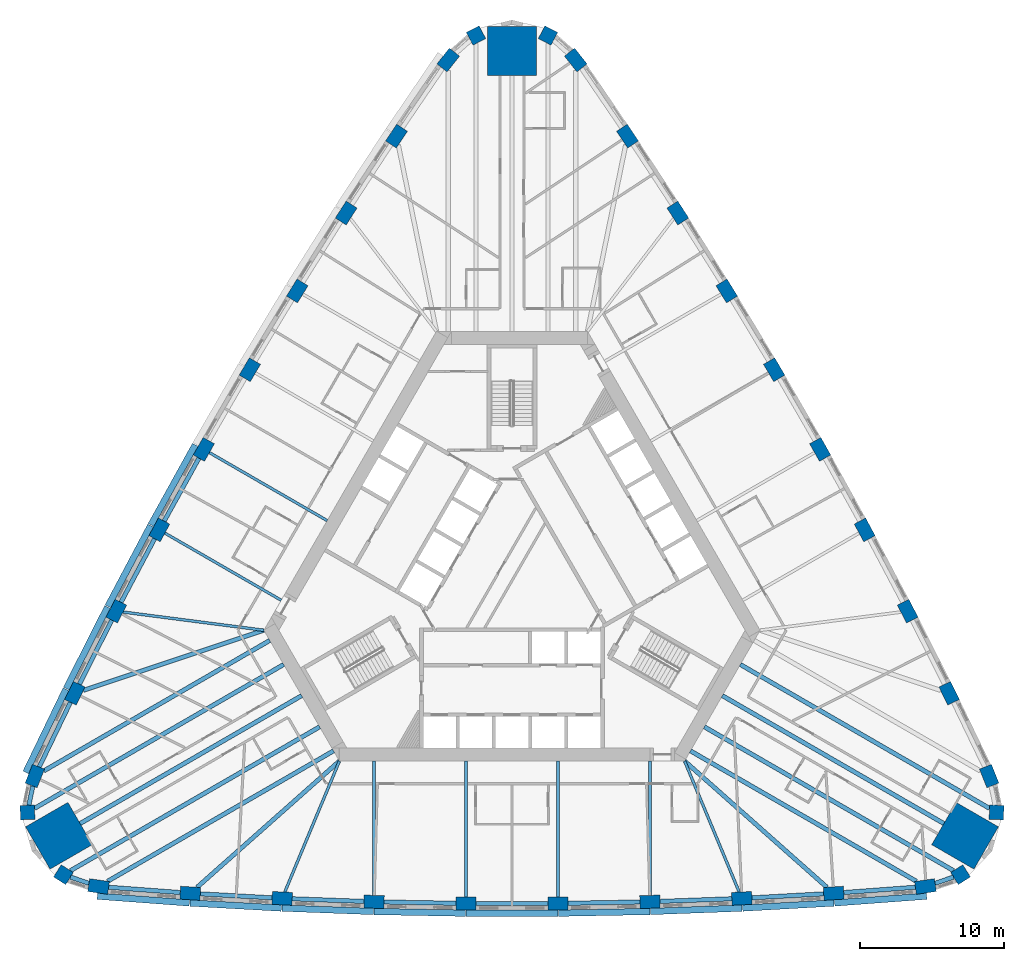
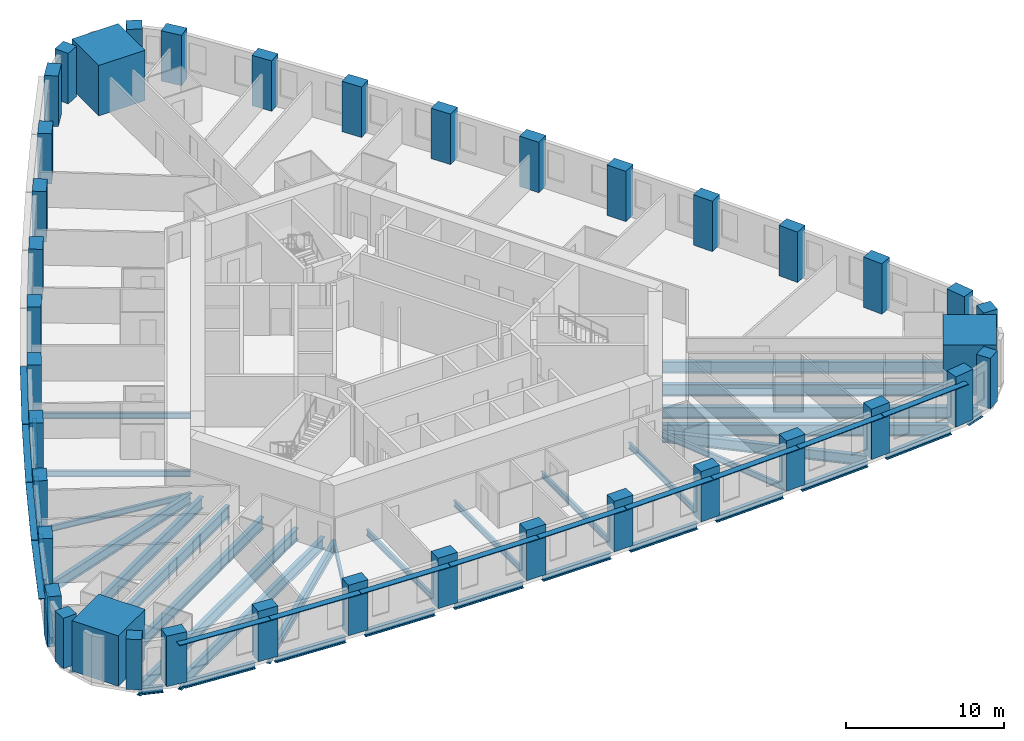
# One storey, part 1 of 12: 39 columns, 37 beams, 13 members.
"""IFC4 building model written with IfcOpenShell, lengths in metres."""

from ifc_helpers import new_model, si_unit, direction, frame, origin, origin_2d, place, context, subcontext, project, spatial, rectangle, i_section, extrude, material, material_profile, profile_set, type_object, element, save


model = new_model("IFC4")

# Units and contexts
model_context = context("Model", 3, precision=1e-05, world=origin(), true_north=direction((0.0, 1.0)))
body_context = subcontext(model_context, "Body", "Model", "MODEL_VIEW")
ifc_project = project(units=[si_unit("LENGTHUNIT", "METRE"), si_unit("AREAUNIT", "SQUARE_METRE"), si_unit("VOLUMEUNIT", "CUBIC_METRE"), si_unit("PLANEANGLEUNIT", "RADIAN"), si_unit("MASSUNIT", "GRAM", prefix="KILO")], contexts=[model_context])

# Site, building, storey
site_placement = place(None, origin())
site = spatial("IfcSite", under=ifc_project, at=site_placement, CompositionType="ELEMENT")
building_placement = place(site_placement, origin())
building = spatial("IfcBuilding", under=site, at=building_placement, Name="Mestral Congress Tower", CompositionType="ELEMENT")
storey_placement = place(building_placement, frame((0.0, 0.0, 74.39990234375)))
storey = spatial("IfcBuildingStorey", under=building, at=storey_placement, Name="L17", CompositionType="ELEMENT", Elevation=74.39990234375)

# Columns
ifc_material_1 = material(Name="Concrete C70/85", Category="concrete")
ifc_material_profile_1 = material_profile(ifc_material_1, rectangle(XDim=1.0, YDim=1.0, at=origin_2d()), Name="RC 1000x1000")
ifc_profile_set_1 = profile_set([ifc_material_profile_1], Name="Concrete C70/85")
column_type_1 = type_object("IfcColumnType", Name="Column RC 1000x1000 C70/85", PredefinedType="COLUMN", material=ifc_profile_set_1)
for number, where, z_axis, x_axis, name in (
    (1, (31.210205078125, -20.90966796875, 0.0), (0.0, 0.0, 1.0), (0.844485001826, 0.535579202071, 0.0), "COL-L17-C1-SE1"),
    (2, (33.71337890625, -16.573974609375, 0.0), (0.0, 0.0, 1.0), (0.041582693819, 0.999135065732, 0.0), "COL-L17-C1-SE3"),
    (3, (2.503173828125, 37.483642578125, 0.0), (0.0, 0.0, 1.0), (-0.886067695645, 0.463555863661, 0.0), "COL-L17-C1-N1"),
    (4, (-2.503173828125, 37.483642578125, 0.0), (0.0, 0.0, 1.0), (-0.886067695645, -0.463555863661, 0.0), "COL-L17-C1-N3"),
    (5, (-33.71337890625, -16.573974609375, 0.0), (0.0, 0.0, 1.0), (0.041582693819, -0.999135065732, 0.0), "COL-L17-C1-SW1"),
    (6, (-31.210205078125, -20.90966796875, 0.0), (0.0, 0.0, 1.0), (0.844485001826, -0.535579202071, 0.0), "COL-L17-C1-SW3"),
):
    element("IfcColumn", number, at=place(storey_placement, frame(where, z_axis=z_axis, x_axis=x_axis)), inside=storey, type_object=column_type_1, Name=name, PredefinedType="COLUMN", context=body_context, shape_type="SweptSolid", body=[
        extrude(rectangle(XDim=1.0, YDim=1.0, at=origin_2d()), origin(), (0.0, 0.0, 1.0), 3.900146484375),
    ])
ifc_material_profile_2 = material_profile(ifc_material_1, rectangle(XDim=1.39990234375, YDim=0.89990234375, at=origin_2d()), Name="RC 1400x900")
ifc_profile_set_2 = profile_set([ifc_material_profile_2], Name="Concrete C70/85")
column_type_2 = type_object("IfcColumnType", Name="Column RC 1400x900 C70/85", PredefinedType="COLUMN", material=ifc_profile_set_2)
for number, where, z_axis, x_axis, name in (
    (7, (-28.766845703125, -21.730712890625, 0.0), (0.0, 0.0, 1.0), (0.989423502484, -0.145055619443, 0.0), "COL-L17-C1-S00"),
    (8, (-22.384521484375, -22.20361328125, 0.0), (0.0, 0.0, 1.0), (0.997907501024, -0.064657709518, 0.0), "COL-L17-C1-S01"),
    (9, (-15.994384765625, -22.558349609375, 0.0), (0.0, 0.0, 1.0), (0.998932216029, -0.04619986774, 0.0), "COL-L17-C1-S02"),
    (10, (-9.598876953125, -22.794921875, 0.0), (0.0, 0.0, 1.0), (0.999615553977, -0.027726237529, 0.0), "COL-L17-C1-S03"),
    (11, (-3.199951171875, -22.9130859375, 0.0), (0.0, 0.0, 1.0), (0.999957281342, -0.009243132098, 0.0), "COL-L17-C1-S04"),
    (12, (3.199951171875, -22.9130859375, 0.0), (0.0, 0.0, 1.0), (0.999957281342, 0.009243132098, 0.0), "COL-L17-C1-S05"),
    (13, (9.598876953125, -22.794921875, 0.0), (0.0, 0.0, 1.0), (0.999615553977, 0.027726237529, 0.0), "COL-L17-C1-S06"),
    (14, (15.994384765625, -22.558349609375, 0.0), (0.0, 0.0, 1.0), (0.998932216029, 0.04619986774, 0.0), "COL-L17-C1-S07"),
    (15, (22.384521484375, -22.20361328125, 0.0), (0.0, 0.0, 1.0), (0.997907501024, 0.064657709518, 0.0), "COL-L17-C1-S08"),
    (16, (28.766845703125, -21.730712890625, 0.0), (0.0, 0.0, 1.0), (0.989423502484, 0.145055619443, 0.0), "COL-L17-C1-S09"),
    (17, (33.202880859375, -14.04736328125, 0.0), (0.0, 0.0, 1.0), (-0.369089899843, 0.929393697974, 0.0), "COL-L17-C1-E00"),
    (18, (30.421142578125, -8.28369140625, 0.0), (0.0, 0.0, 1.0), (-0.442958531519, 0.896542101273, 0.0), "COL-L17-C1-E01"),
    (19, (27.533203125, -2.572265625, 0.0), (0.0, 0.0, 1.0), (-0.4594558489, 0.88820060961, 0.0), "COL-L17-C1-E02"),
    (20, (24.540283203125, 3.084716796875, 0.0), (0.0, 0.0, 1.0), (-0.475796150937, 0.879555582526, 0.0), "COL-L17-C1-E03"),
    (21, (21.443359375, 8.685302734375, 0.0), (0.0, 0.0, 1.0), (-0.491973853463, 0.870609974391, 0.0), "COL-L17-C1-E04"),
    (22, (18.243408203125, 14.227783203125, 0.0), (0.0, 0.0, 1.0), (-0.507983427879, 0.861366842292, 0.0), "COL-L17-C1-E05"),
    (23, (14.941650390625, 19.710205078125, 0.0), (0.0, 0.0, 1.0), (-0.52381940304, 0.851829344998, 0.0), "COL-L17-C1-E06"),
    (24, (11.5390625, 25.130615234375, 0.0), (0.0, 0.0, 1.0), (-0.539476367129, 0.84200074187, 0.0), "COL-L17-C1-E07"),
    (25, (8.03662109375, 30.4873046875, 0.0), (0.0, 0.0, 1.0), (-0.554948969505, 0.831884391755, 0.0), "COL-L17-C1-E08"),
    (26, (4.43603515625, 35.7783203125, 0.0), (0.0, 0.0, 1.0), (-0.620333602641, 0.784338078531, 0.0), "COL-L17-C1-E09"),
    (27, (-4.43603515625, 35.7783203125, 0.0), (0.0, 0.0, 1.0), (-0.620333602641, -0.784338078531, 0.0), "COL-L17-C1-W00"),
    (28, (-8.03662109375, 30.4873046875, 0.0), (0.0, 0.0, 1.0), (-0.554948969505, -0.831884391755, 0.0), "COL-L17-C1-W01"),
    (29, (-11.5390625, 25.130615234375, 0.0), (0.0, 0.0, 1.0), (-0.539476367129, -0.84200074187, 0.0), "COL-L17-C1-W02"),
    (30, (-14.941650390625, 19.710205078125, 0.0), (0.0, 0.0, 1.0), (-0.52381940304, -0.851829344998, 0.0), "COL-L17-C1-W03"),
    (31, (-18.243408203125, 14.227783203125, 0.0), (0.0, 0.0, 1.0), (-0.507983427879, -0.861366842292, 0.0), "COL-L17-C1-W04"),
    (32, (-21.443359375, 8.685302734375, 0.0), (0.0, 0.0, 1.0), (-0.491973853463, -0.870609974391, 0.0), "COL-L17-C1-W05"),
    (33, (-24.540283203125, 3.084716796875, 0.0), (0.0, 0.0, 1.0), (-0.475796150937, -0.879555582526, 0.0), "COL-L17-C1-W06"),
    (34, (-27.533203125, -2.572265625, 0.0), (0.0, 0.0, 1.0), (-0.4594558489, -0.88820060961, 0.0), "COL-L17-C1-W07"),
    (35, (-30.421142578125, -8.28369140625, 0.0), (0.0, 0.0, 1.0), (-0.442958531519, -0.896542101273, 0.0), "COL-L17-C1-W08"),
    (36, (-33.202880859375, -14.04736328125, 0.0), (0.0, 0.0, 1.0), (-0.369089899843, -0.929393697974, 0.0), "COL-L17-C1-W09"),
):
    element("IfcColumn", number, at=place(storey_placement, frame(where, z_axis=z_axis, x_axis=x_axis)), inside=storey, type_object=column_type_2, Name=name, PredefinedType="COLUMN", context=body_context, shape_type="SweptSolid", body=[
        extrude(rectangle(XDim=1.39990234375, YDim=0.89990234375, at=origin_2d()), origin(), (0.0, 0.0, 1.0), 3.900146484375),
    ])
ifc_material_2 = material(Name="Concrete C80/95", Category="concrete")
ifc_material_profile_3 = material_profile(ifc_material_2, rectangle(XDim=3.39990234375, YDim=3.39990234375, at=origin_2d()), Name="RC 3400x3400")
ifc_profile_set_3 = profile_set([ifc_material_profile_3], Name="Concrete C80/95")
column_type_3 = type_object("IfcColumnType", Name="Mega column RC 3400x3400 C80/95", PredefinedType="COLUMN", material=ifc_profile_set_3)
for number, where, z_axis, x_axis, name in (
    (37, (31.5224609375, -18.199462890625, 0.0), (0.0, 0.0, 1.0), (0.866025403784, -0.5, 0.0), "COL-L17-PY1-SE"),
    (38, (0.0, 36.39892578125, 0.0), (0.0, 0.0, 1.0), (0.0, 1.0, 0.0), "COL-L17-PY1-N"),
    (39, (-31.5224609375, -18.199462890625, 0.0), (0.0, 0.0, 1.0), (-0.866025403784, -0.5, 0.0), "COL-L17-PY1-SW"),
):
    element("IfcColumn", number, at=place(storey_placement, frame(where, z_axis=z_axis, x_axis=x_axis)), inside=storey, type_object=column_type_3, Name=name, PredefinedType="COLUMN", context=body_context, shape_type="SweptSolid", body=[
        extrude(rectangle(XDim=3.39990234375, YDim=3.39990234375, at=origin_2d()), origin(), (0.0, 0.0, 1.0), 3.900146484375),
    ])

# Members
ifc_material_3 = material(Name="Glazed ceramic", Category="masonry")
ifc_material_profile_4 = material_profile(ifc_material_3, rectangle(XDim=0.449951171875, YDim=0.06005859375, at=origin_2d()), Name="Ceramic blade 450 x 60")
ifc_profile_set_4 = profile_set([ifc_material_profile_4], Name="Glazed ceramic")
member_type = type_object("IfcMemberType", Name="Facade sunshade blade 450 x 60", PredefinedType="USERDEFINED", material=ifc_profile_set_4)
member_1_placement = place(storey_placement, frame((-28.853271484375, -22.4013671875, 3.280029296875), z_axis=(0.997269829073, -0.073843672858, 0.0), x_axis=(0.073843672858, 0.997269829073, 0.0)))
element("IfcMember", 40, at=member_1_placement, inside=storey, type_object=member_type, Name="Sunshade F0-00", ObjectType="SUNSHADE", PredefinedType="USERDEFINED", context=body_context, shape_type="SweptSolid", body=[
    extrude(rectangle(XDim=0.449951171875, YDim=0.06005859375, at=origin_2d()), origin(), (0.0, 0.0, 1.0), 6.420654296875),
])
member_2_placement = place(storey_placement, frame((-22.406005859375, -22.87841796875, 3.280029296875), z_axis=(0.998462240013, -0.055436046654, 0.0), x_axis=(0.055436046654, 0.998462240013, 0.0)))
element("IfcMember", 41, at=member_2_placement, inside=storey, type_object=member_type, Name="Sunshade F0-01", ObjectType="SUNSHADE", PredefinedType="USERDEFINED", context=body_context, shape_type="SweptSolid", body=[
    extrude(rectangle(XDim=0.449951171875, YDim=0.06005859375, at=origin_2d()), origin(), (0.0, 0.0, 1.0), 6.3681640625),
])
member_3_placement = place(storey_placement, frame((-16.00341796875, -23.2333984375, 3.280029296875), z_axis=(0.99931546381, -0.036994645436, 0.0), x_axis=(0.036994645436, 0.99931546381, 0.0)))
element("IfcMember", 42, at=member_3_placement, inside=storey, type_object=member_type, Name="Sunshade F0-02", ObjectType="SUNSHADE", PredefinedType="USERDEFINED", context=body_context, shape_type="SweptSolid", body=[
    extrude(rectangle(XDim=0.449951171875, YDim=0.06005859375, at=origin_2d()), origin(), (0.0, 0.0, 1.0), 6.368408203125),
])
for number, where, z_axis, x_axis, name in (
    (43, (-9.595458984375, -23.47021484375, 3.280029296875), (0.99982925906, -0.018478439527, 0.0), (0.018478439527, 0.99982925906, 0.0), "Sunshade F0-03"),
    (44, (-3.18408203125, -23.588134765625, 3.280029296875), (1.0, 0.0, 0.0), (0.0, 1.0, 0.0), "Sunshade F0-04"),
    (45, (3.228271484375, -23.587890625, 3.280029296875), (0.99982925906, 0.018478439527, 0.0), (-0.018478439527, 0.99982925906, 0.0), "Sunshade F0-05"),
):
    element("IfcMember", number, at=place(storey_placement, frame(where, z_axis=z_axis, x_axis=x_axis)), inside=storey, type_object=member_type, Name=name, ObjectType="SUNSHADE", PredefinedType="USERDEFINED", context=body_context, shape_type="SweptSolid", body=[
        extrude(rectangle(XDim=0.449951171875, YDim=0.06005859375, at=origin_2d()), origin(), (0.0, 0.0, 1.0), 6.3681640625),
    ])
member_4_placement = place(storey_placement, frame((9.639404296875, -23.468994140625, 3.280029296875), z_axis=(0.99931546381, 0.036994645436, 0.0), x_axis=(-0.036994645436, 0.99931546381, 0.0)))
element("IfcMember", 46, at=member_4_placement, inside=storey, type_object=member_type, Name="Sunshade F0-06", ObjectType="SUNSHADE", PredefinedType="USERDEFINED", context=body_context, shape_type="SweptSolid", body=[
    extrude(rectangle(XDim=0.449951171875, YDim=0.06005859375, at=origin_2d()), origin(), (0.0, 0.0, 1.0), 6.368408203125),
])
member_5_placement = place(storey_placement, frame((16.047607421875, -23.2314453125, 3.280029296875), z_axis=(0.998462240013, 0.055436046654, 0.0), x_axis=(-0.055436046654, 0.998462240013, 0.0)))
element("IfcMember", 47, at=member_5_placement, inside=storey, type_object=member_type, Name="Sunshade F0-07", ObjectType="SUNSHADE", PredefinedType="USERDEFINED", context=body_context, shape_type="SweptSolid", body=[
    extrude(rectangle(XDim=0.449951171875, YDim=0.06005859375, at=origin_2d()), origin(), (0.0, 0.0, 1.0), 6.3681640625),
])
member_6_placement = place(storey_placement, frame((22.4501953125, -22.87548828125, 3.280029296875), z_axis=(0.997269829073, 0.073843672858, 0.0), x_axis=(-0.073843672858, 0.997269829073, 0.0)))
element("IfcMember", 48, at=member_6_placement, inside=storey, type_object=member_type, Name="Sunshade F0-08", ObjectType="SUNSHADE", PredefinedType="USERDEFINED", context=body_context, shape_type="SweptSolid", body=[
    extrude(rectangle(XDim=0.449951171875, YDim=0.06005859375, at=origin_2d()), origin(), (0.0, 0.0, 1.0), 6.420654296875),
])
for number, where, z_axis, x_axis, name in (
    (49, (-22.041748046875, 8.998291015625, 3.280029296875), (-0.483893994258, -0.875126620736, 0.0), (0.875126620736, -0.483893994258, 0.0), "Sunshade F2-05"),
    (50, (-25.144287109375, 3.38623046875, 3.280029296875), (-0.467674573128, -0.883900726128, 0.0), (0.883900726128, -0.467674573128, 0.0), "Sunshade F2-06"),
    (51, (-28.142822265625, -2.28173828125, 3.280029296875), (-0.451226804026, -0.892409307061, 0.0), (0.892409307061, -0.451226804026, 0.0), "Sunshade F2-07"),
):
    element("IfcMember", number, at=place(storey_placement, frame(where, z_axis=z_axis, x_axis=x_axis)), inside=storey, type_object=member_type, Name=name, ObjectType="SUNSHADE", PredefinedType="USERDEFINED", context=body_context, shape_type="SweptSolid", body=[
        extrude(rectangle(XDim=0.449951171875, YDim=0.06005859375, at=origin_2d()), origin(), (0.0, 0.0, 1.0), 6.3681640625),
    ])
member_7_placement = place(storey_placement, frame((-31.035888671875, -8.00439453125, 3.280029296875), z_axis=(-0.434637414368, -0.900605528537, 0.0), x_axis=(0.900605528537, -0.434637414368, 0.0)))
element("IfcMember", 52, at=member_7_placement, inside=storey, type_object=member_type, Name="Sunshade F2-08", ObjectType="SUNSHADE", PredefinedType="USERDEFINED", context=body_context, shape_type="SweptSolid", body=[
    extrude(rectangle(XDim=0.449951171875, YDim=0.06005859375, at=origin_2d()), origin(), (0.0, 0.0, 1.0), 6.4208984375),
])

# Beams
ifc_material_4 = material(Name="Steel S355", Category="steel")
ifc_material_profile_5 = material_profile(ifc_material_4, i_section(OverallWidth=0.300048828125, OverallDepth=0.800048828125, WebThickness=0.017578125, FlangeThickness=0.032958984375, FilletRadius=0.030029296875, at=origin_2d()), Name="HEB 800")
ifc_profile_set_5 = profile_set([ifc_material_profile_5], Name="Steel S355")
beam_type_1 = type_object("IfcBeamType", Name="Floor beam HEB 800 S355", PredefinedType="BEAM", material=ifc_profile_set_5)
for number, where, z_axis, x_axis, name in (
    (53, (-21.91064453125, -21.783447265625, -0.64990234375), (0.748091770025, 0.663595286015, 0.0), (-0.663595286015, 0.748091770025, 0.0), "BM-L17-RB1-S01"),
    (54, (21.91064453125, -21.783447265625, -0.64990234375), (-0.748091770025, 0.663595286015, 0.0), (-0.663595286015, -0.748091770025, 0.0), "BM-L17-RB1-S08"),
    (55, (-29.8203125, -8.08349609375, -0.64990234375), (0.948734931285, 0.316072824141, 0.0), (-0.316072824141, 0.948734931285, 0.0), "BM-L17-RB1-W08"),
):
    element("IfcBeam", number, at=place(storey_placement, frame(where, z_axis=z_axis, x_axis=x_axis)), inside=storey, type_object=beam_type_1, Name=name, PredefinedType="BEAM", context=body_context, shape_type="SweptSolid", body=[
        extrude(i_section(OverallWidth=0.300048828125, OverallDepth=0.800048828125, WebThickness=0.017578125, FlangeThickness=0.032958984375, FilletRadius=0.030029296875, at=origin_2d()), origin(), (0.0, 0.0, 1.0), 13.236083984375),
    ])
ifc_material_profile_6 = material_profile(ifc_material_4, i_section(OverallWidth=0.300048828125, OverallDepth=0.89990234375, WebThickness=0.0185546875, FlangeThickness=0.034912109375, FilletRadius=0.030029296875, at=origin_2d()), Name="HEB 900")
ifc_profile_set_6 = profile_set([ifc_material_profile_6], Name="Steel S355")
beam_type_2 = type_object("IfcBeamType", Name="Floor beam HEB 900 S355", PredefinedType="BEAM", material=ifc_profile_set_6)
for number, where, z_axis, x_axis, name in (
    (56, (-28.138671875, -21.3681640625, -0.699951171875), (0.866027243369, 0.499996813733, 0.0), (-0.499996813733, 0.866027243369, 0.0), "BM-L17-RB1-S00"),
    (57, (28.138671875, -21.3681640625, -0.699951171875), (-0.866027243369, 0.499996813733, 0.0), (-0.499996813733, -0.866027243369, 0.0), "BM-L17-RB1-S09"),
):
    element("IfcBeam", number, at=place(storey_placement, frame(where, z_axis=z_axis, x_axis=x_axis)), inside=storey, type_object=beam_type_2, Name=name, PredefinedType="BEAM", context=body_context, shape_type="SweptSolid", body=[
        extrude(i_section(OverallWidth=0.300048828125, OverallDepth=0.89990234375, WebThickness=0.0185546875, FlangeThickness=0.034912109375, FilletRadius=0.030029296875, at=origin_2d()), origin(), (0.0, 0.0, 1.0), 18.15283203125),
    ])
beam_1_placement = place(storey_placement, frame((30.721435546875, -20.62744140625, -0.699951171875), z_axis=(-0.866027382289, 0.499996573113, 0.0), x_axis=(-0.499996573113, -0.866027382289, 0.0)))
element("IfcBeam", 58, at=beam_1_placement, inside=storey, type_object=beam_type_2, Name="BM-L17-RB1-SE1", PredefinedType="BEAM", context=body_context, shape_type="SweptSolid", body=[
    extrude(i_section(OverallWidth=0.300048828125, OverallDepth=0.89990234375, WebThickness=0.0185546875, FlangeThickness=0.034912109375, FilletRadius=0.030029296875, at=origin_2d()), origin(), (0.0, 0.0, 1.0), 20.019287109375),
])
beam_2_placement = place(storey_placement, frame((30.050048828125, -17.349609375, -0.699951171875), z_axis=(-0.866020438056, 0.500008600796, 0.0), x_axis=(-0.500008600796, -0.866020438056, 0.0)))
element("IfcBeam", 59, at=beam_2_placement, inside=storey, type_object=beam_type_2, Name="BM-L17-RB1-SE", PredefinedType="BEAM", context=body_context, shape_type="SweptSolid", body=[
    extrude(i_section(OverallWidth=0.300048828125, OverallDepth=0.89990234375, WebThickness=0.0185546875, FlangeThickness=0.034912109375, FilletRadius=0.030029296875, at=origin_2d()), origin(), (0.0, 0.0, 1.0), 17.799072265625),
])
beam_3_placement = place(storey_placement, frame((33.224609375, -16.291748046875, -0.699951171875), z_axis=(-0.866027382289, 0.499996573113, 0.0), x_axis=(-0.499996573113, -0.866027382289, 0.0)))
element("IfcBeam", 60, at=beam_3_placement, inside=storey, type_object=beam_type_2, Name="BM-L17-RB1-SE3", PredefinedType="BEAM", context=body_context, shape_type="SweptSolid", body=[
    extrude(i_section(OverallWidth=0.300048828125, OverallDepth=0.89990234375, WebThickness=0.0185546875, FlangeThickness=0.034912109375, FilletRadius=0.030029296875, at=origin_2d()), origin(), (0.0, 0.0, 1.0), 20.019287109375),
])
beam_4_placement = place(storey_placement, frame((-32.574462890625, -13.6845703125, -0.699951171875), z_axis=(0.866029704776, 0.49999255039, 0.0), x_axis=(-0.49999255039, 0.866029704776, 0.0)))
element("IfcBeam", 61, at=beam_4_placement, inside=storey, type_object=beam_type_2, Name="BM-L17-RB1-W09", PredefinedType="BEAM", context=body_context, shape_type="SweptSolid", body=[
    extrude(i_section(OverallWidth=0.300048828125, OverallDepth=0.89990234375, WebThickness=0.0185546875, FlangeThickness=0.034912109375, FilletRadius=0.030029296875, at=origin_2d()), origin(), (0.0, 0.0, 1.0), 18.152587890625),
])
beam_5_placement = place(storey_placement, frame((-33.224609375, -16.291748046875, -0.699951171875), z_axis=(0.866027382289, 0.499996573113, 0.0), x_axis=(-0.499996573113, 0.866027382289, 0.0)))
element("IfcBeam", 62, at=beam_5_placement, inside=storey, type_object=beam_type_2, Name="BM-L17-RB1-SW1", PredefinedType="BEAM", context=body_context, shape_type="SweptSolid", body=[
    extrude(i_section(OverallWidth=0.300048828125, OverallDepth=0.89990234375, WebThickness=0.0185546875, FlangeThickness=0.034912109375, FilletRadius=0.030029296875, at=origin_2d()), origin(), (0.0, 0.0, 1.0), 20.019287109375),
])
beam_6_placement = place(storey_placement, frame((-30.050048828125, -17.349609375, -0.699951171875), z_axis=(0.866020438056, 0.500008600796, 0.0), x_axis=(-0.500008600796, 0.866020438056, 0.0)))
element("IfcBeam", 63, at=beam_6_placement, inside=storey, type_object=beam_type_2, Name="BM-L17-RB1-SW", PredefinedType="BEAM", context=body_context, shape_type="SweptSolid", body=[
    extrude(i_section(OverallWidth=0.300048828125, OverallDepth=0.89990234375, WebThickness=0.0185546875, FlangeThickness=0.034912109375, FilletRadius=0.030029296875, at=origin_2d()), origin(), (0.0, 0.0, 1.0), 17.799072265625),
])
beam_7_placement = place(storey_placement, frame((-30.721435546875, -20.62744140625, -0.699951171875), z_axis=(0.866027382289, 0.499996573113, 0.0), x_axis=(-0.499996573113, 0.866027382289, 0.0)))
element("IfcBeam", 64, at=beam_7_placement, inside=storey, type_object=beam_type_2, Name="BM-L17-RB1-SW3", PredefinedType="BEAM", context=body_context, shape_type="SweptSolid", body=[
    extrude(i_section(OverallWidth=0.300048828125, OverallDepth=0.89990234375, WebThickness=0.0185546875, FlangeThickness=0.034912109375, FilletRadius=0.030029296875, at=origin_2d()), origin(), (0.0, 0.0, 1.0), 20.019287109375),
])
ifc_material_profile_7 = material_profile(ifc_material_4, i_section(OverallWidth=0.18994140625, OverallDepth=0.449951171875, WebThickness=0.009521484375, FlangeThickness=0.0146484375, FilletRadius=0.02099609375, at=origin_2d()), Name="IPE 450")
ifc_profile_set_7 = profile_set([ifc_material_profile_7], Name="Steel S355")
beam_type_3 = type_object("IfcBeamType", Name="Floor beam IPE 450 S355", PredefinedType="BEAM", material=ifc_profile_set_7)
beam_8_placement = place(storey_placement, frame((-15.81005859375, -22.116455078125, -0.474853515625), z_axis=(0.384852309441, 0.922978168711, 0.0), x_axis=(-0.922978168711, 0.384852309441, 0.0)))
element("IfcBeam", 65, at=beam_8_placement, inside=storey, type_object=beam_type_3, Name="BM-L17-RB1-S02", PredefinedType="BEAM", context=body_context, shape_type="SweptSolid", body=[
    extrude(i_section(OverallWidth=0.18994140625, OverallDepth=0.449951171875, WebThickness=0.009521484375, FlangeThickness=0.0146484375, FilletRadius=0.02099609375, at=origin_2d()), origin(), (0.0, 0.0, 1.0), 9.877197265625),
])
beam_9_placement = place(storey_placement, frame((-9.598876953125, -22.3447265625, -0.474853515625), z_axis=(0.0, 1.0, 0.0), x_axis=(-1.0, 0.0, 0.0)))
element("IfcBeam", 66, at=beam_9_placement, inside=storey, type_object=beam_type_3, Name="BM-L17-RB1-S03", PredefinedType="BEAM", context=body_context, shape_type="SweptSolid", body=[
    extrude(i_section(OverallWidth=0.18994140625, OverallDepth=0.449951171875, WebThickness=0.009521484375, FlangeThickness=0.0146484375, FilletRadius=0.02099609375, at=origin_2d()), origin(), (0.0, 0.0, 1.0), 9.3447265625),
])
for number, where, z_axis, x_axis, name in (
    (67, (-3.199951171875, -22.463134765625, -0.474853515625), (0.0, 1.0, 0.0), (-1.0, 0.0, 0.0), "BM-L17-RB1-S04"),
    (68, (3.199951171875, -22.463134765625, -0.474853515625), (0.0, 1.0, 0.0), (-1.0, 0.0, 0.0), "BM-L17-RB1-S05"),
):
    element("IfcBeam", number, at=place(storey_placement, frame(where, z_axis=z_axis, x_axis=x_axis)), inside=storey, type_object=beam_type_3, Name=name, PredefinedType="BEAM", context=body_context, shape_type="SweptSolid", body=[
        extrude(i_section(OverallWidth=0.18994140625, OverallDepth=0.449951171875, WebThickness=0.009521484375, FlangeThickness=0.0146484375, FilletRadius=0.02099609375, at=origin_2d()), origin(), (0.0, 0.0, 1.0), 9.463134765625),
    ])
beam_10_placement = place(storey_placement, frame((9.598876953125, -22.3447265625, -0.474853515625), z_axis=(0.0, 1.0, 0.0), x_axis=(-1.0, 0.0, 0.0)))
element("IfcBeam", 69, at=beam_10_placement, inside=storey, type_object=beam_type_3, Name="BM-L17-RB1-S06", PredefinedType="BEAM", context=body_context, shape_type="SweptSolid", body=[
    extrude(i_section(OverallWidth=0.18994140625, OverallDepth=0.449951171875, WebThickness=0.009521484375, FlangeThickness=0.0146484375, FilletRadius=0.02099609375, at=origin_2d()), origin(), (0.0, 0.0, 1.0), 9.3447265625),
])
beam_11_placement = place(storey_placement, frame((15.81005859375, -22.116455078125, -0.474853515625), z_axis=(-0.384852309441, 0.922978168711, 0.0), x_axis=(-0.922978168711, -0.384852309441, 0.0)))
element("IfcBeam", 70, at=beam_11_placement, inside=storey, type_object=beam_type_3, Name="BM-L17-RB1-S07", PredefinedType="BEAM", context=body_context, shape_type="SweptSolid", body=[
    extrude(i_section(OverallWidth=0.18994140625, OverallDepth=0.449951171875, WebThickness=0.009521484375, FlangeThickness=0.0146484375, FilletRadius=0.02099609375, at=origin_2d()), origin(), (0.0, 0.0, 1.0), 9.877197265625),
])
beam_12_placement = place(storey_placement, frame((-21.0537109375, 8.46044921875, -0.474853515625), z_axis=(0.866019749231, -0.500009793847, 0.0), x_axis=(0.500009793847, 0.866019749231, 0.0)))
element("IfcBeam", 71, at=beam_12_placement, inside=storey, type_object=beam_type_3, Name="BM-L17-RB1-W05", PredefinedType="BEAM", context=body_context, shape_type="SweptSolid", body=[
    extrude(i_section(OverallWidth=0.18994140625, OverallDepth=0.449951171875, WebThickness=0.009521484375, FlangeThickness=0.0146484375, FilletRadius=0.02099609375, at=origin_2d()), origin(), (0.0, 0.0, 1.0), 9.463134765625),
])
beam_13_placement = place(storey_placement, frame((-24.150634765625, 2.859619140625, -0.474853515625), z_axis=(0.866032011123, -0.499988555579, 0.0), x_axis=(0.499988555579, 0.866032011123, 0.0)))
element("IfcBeam", 72, at=beam_13_placement, inside=storey, type_object=beam_type_3, Name="BM-L17-RB1-W06", PredefinedType="BEAM", context=body_context, shape_type="SweptSolid", body=[
    extrude(i_section(OverallWidth=0.18994140625, OverallDepth=0.449951171875, WebThickness=0.009521484375, FlangeThickness=0.0146484375, FilletRadius=0.02099609375, at=origin_2d()), origin(), (0.0, 0.0, 1.0), 9.344970703125),
])
beam_14_placement = place(storey_placement, frame((-27.058349609375, -2.6337890625, -0.474853515625), z_axis=(0.99175011495, -0.128186229747, 0.0), x_axis=(0.128186229747, 0.99175011495, 0.0)))
element("IfcBeam", 73, at=beam_14_placement, inside=storey, type_object=beam_type_3, Name="BM-L17-RB1-W07", PredefinedType="BEAM", context=body_context, shape_type="SweptSolid", body=[
    extrude(i_section(OverallWidth=0.18994140625, OverallDepth=0.449951171875, WebThickness=0.009521484375, FlangeThickness=0.0146484375, FilletRadius=0.02099609375, at=origin_2d()), origin(), (0.0, 0.0, 1.0), 9.877197265625),
])
ifc_material_profile_8 = material_profile(ifc_material_4, i_section(OverallWidth=0.300048828125, OverallDepth=0.489990234375, WebThickness=0.011962890625, FlangeThickness=0.02294921875, FilletRadius=0.027099609375, at=origin_2d()), Name="HEA 500")
ifc_profile_set_8 = profile_set([ifc_material_profile_8], Name="Steel S355")
beam_type_4 = type_object("IfcBeamType", Name="Spandrel beam HEA 500 S355", PredefinedType="BEAM", material=ifc_profile_set_8)
beam_15_placement = place(storey_placement, frame((-28.06689453125, -21.78271484375, -0.494873046875), z_axis=(0.997268820599, -0.073857291181, 0.0), x_axis=(0.073857291181, 0.997268820599, 0.0)))
element("IfcBeam", 74, at=beam_15_placement, inside=storey, type_object=beam_type_4, Name="SP-L17-SB1-S00", PredefinedType="BEAM", context=body_context, shape_type="SweptSolid", body=[
    extrude(i_section(OverallWidth=0.300048828125, OverallDepth=0.489990234375, WebThickness=0.011962890625, FlangeThickness=0.02294921875, FilletRadius=0.027099609375, at=origin_2d()), origin(), (0.0, 0.0, 1.0), 4.998046875),
])
for number, where, z_axis, x_axis, name in (
    (75, (-21.685546875, -22.242431640625, -0.494873046875), (0.998463056415, -0.055421340426, 0.0), (0.055421340426, 0.998463056415, 0.0), "SP-L17-SB1-S01"),
    (76, (-15.294677734375, -22.584228515625, -0.494873046875), (0.999316571833, -0.036964702901, 0.0), (0.036964702901, 0.999316571833, 0.0), "SP-L17-SB1-S02"),
    (77, (-8.89892578125, -22.807861328125, -0.494873046875), (0.999829645984, -0.018457492, 0.0), (0.018457492, 0.999829645984, 0.0), "SP-L17-SB1-S03"),
):
    element("IfcBeam", number, at=place(storey_placement, frame(where, z_axis=z_axis, x_axis=x_axis)), inside=storey, type_object=beam_type_4, Name=name, PredefinedType="BEAM", context=body_context, shape_type="SweptSolid", body=[
        extrude(i_section(OverallWidth=0.300048828125, OverallDepth=0.489990234375, WebThickness=0.011962890625, FlangeThickness=0.02294921875, FilletRadius=0.027099609375, at=origin_2d()), origin(), (0.0, 0.0, 1.0), 4.999755859375),
    ])
beam_16_placement = place(storey_placement, frame((-2.5, -22.9130859375, -0.494873046875), z_axis=(1.0, 0.0, 0.0), x_axis=(0.0, 1.0, 0.0)))
element("IfcBeam", 78, at=beam_16_placement, inside=storey, type_object=beam_type_4, Name="SP-L17-SB1-S04", PredefinedType="BEAM", context=body_context, shape_type="SweptSolid", body=[
    extrude(i_section(OverallWidth=0.300048828125, OverallDepth=0.489990234375, WebThickness=0.011962890625, FlangeThickness=0.02294921875, FilletRadius=0.027099609375, at=origin_2d()), origin(), (0.0, 0.0, 1.0), 5.0),
])
for number, where, z_axis, x_axis, name in (
    (79, (3.89990234375, -22.900146484375, -0.494873046875), (0.999829645984, 0.018457492, 0.0), (-0.018457492, 0.999829645984, 0.0), "SP-L17-SB1-S05"),
    (80, (10.29833984375, -22.76904296875, -0.494873046875), (0.999316571833, 0.036964702901, 0.0), (-0.036964702901, 0.999316571833, 0.0), "SP-L17-SB1-S06"),
    (81, (16.693359375, -22.51953125, -0.494873046875), (0.998463056415, 0.055421340426, 0.0), (-0.055421340426, 0.998463056415, 0.0), "SP-L17-SB1-S07"),
):
    element("IfcBeam", number, at=place(storey_placement, frame(where, z_axis=z_axis, x_axis=x_axis)), inside=storey, type_object=beam_type_4, Name=name, PredefinedType="BEAM", context=body_context, shape_type="SweptSolid", body=[
        extrude(i_section(OverallWidth=0.300048828125, OverallDepth=0.489990234375, WebThickness=0.011962890625, FlangeThickness=0.02294921875, FilletRadius=0.027099609375, at=origin_2d()), origin(), (0.0, 0.0, 1.0), 4.999755859375),
    ])
beam_17_placement = place(storey_placement, frame((23.08251953125, -22.15185546875, -0.494873046875), z_axis=(0.997268820599, 0.073857291181, 0.0), x_axis=(-0.073857291181, 0.997268820599, 0.0)))
element("IfcBeam", 82, at=beam_17_placement, inside=storey, type_object=beam_type_4, Name="SP-L17-SB1-S08", PredefinedType="BEAM", context=body_context, shape_type="SweptSolid", body=[
    extrude(i_section(OverallWidth=0.300048828125, OverallDepth=0.489990234375, WebThickness=0.011962890625, FlangeThickness=0.02294921875, FilletRadius=0.027099609375, at=origin_2d()), origin(), (0.0, 0.0, 1.0), 4.998046875),
])
beam_18_placement = place(storey_placement, frame((29.441162109375, -21.504150390625, -0.494873046875), z_axis=(0.947921796083, 0.318503168762, 0.0), x_axis=(-0.318503168762, 0.947921796083, 0.0)))
element("IfcBeam", 83, at=beam_18_placement, inside=storey, type_object=beam_type_4, Name="SP-L17-SB1-S09", PredefinedType="BEAM", context=body_context, shape_type="SweptSolid", body=[
    extrude(i_section(OverallWidth=0.300048828125, OverallDepth=0.489990234375, WebThickness=0.011962890625, FlangeThickness=0.02294921875, FilletRadius=0.027099609375, at=origin_2d()), origin(), (0.0, 0.0, 1.0), 1.351318359375),
])
beam_19_placement = place(storey_placement, frame((-21.7822265625, 8.07275390625, -0.494873046875), z_axis=(-0.483900688062, -0.875122919419, 0.0), x_axis=(0.875122919419, -0.483900688062, 0.0)))
element("IfcBeam", 84, at=beam_19_placement, inside=storey, type_object=beam_type_4, Name="SP-L17-SB1-W05", PredefinedType="BEAM", context=body_context, shape_type="SweptSolid", body=[
    extrude(i_section(OverallWidth=0.300048828125, OverallDepth=0.489990234375, WebThickness=0.011962890625, FlangeThickness=0.02294921875, FilletRadius=0.027099609375, at=origin_2d()), origin(), (0.0, 0.0, 1.0), 4.999755859375),
])
beam_20_placement = place(storey_placement, frame((-24.86767578125, 2.4658203125, -0.494873046875), z_axis=(-0.467681307417, -0.883897162962, 0.0), x_axis=(0.883897162962, -0.467681307417, 0.0)))
element("IfcBeam", 85, at=beam_20_placement, inside=storey, type_object=beam_type_4, Name="SP-L17-SB1-W06", PredefinedType="BEAM", context=body_context, shape_type="SweptSolid", body=[
    extrude(i_section(OverallWidth=0.300048828125, OverallDepth=0.489990234375, WebThickness=0.011962890625, FlangeThickness=0.02294921875, FilletRadius=0.027099609375, at=origin_2d()), origin(), (0.0, 0.0, 1.0), 5.0),
])
beam_21_placement = place(storey_placement, frame((-27.84912109375, -3.197021484375, -0.494873046875), z_axis=(-0.45123261425, -0.892406369227, 0.0), x_axis=(0.892406369227, -0.45123261425, 0.0)))
element("IfcBeam", 86, at=beam_21_placement, inside=storey, type_object=beam_type_4, Name="SP-L17-SB1-W07", PredefinedType="BEAM", context=body_context, shape_type="SweptSolid", body=[
    extrude(i_section(OverallWidth=0.300048828125, OverallDepth=0.489990234375, WebThickness=0.011962890625, FlangeThickness=0.02294921875, FilletRadius=0.027099609375, at=origin_2d()), origin(), (0.0, 0.0, 1.0), 4.999755859375),
])
beam_22_placement = place(storey_placement, frame((-30.725341796875, -8.9140625, -0.494873046875), z_axis=(-0.434645244295, -0.900601749727, 0.0), x_axis=(0.900601749727, -0.434645244295, 0.0)))
element("IfcBeam", 87, at=beam_22_placement, inside=storey, type_object=beam_type_4, Name="SP-L17-SB1-W08", PredefinedType="BEAM", context=body_context, shape_type="SweptSolid", body=[
    extrude(i_section(OverallWidth=0.300048828125, OverallDepth=0.489990234375, WebThickness=0.011962890625, FlangeThickness=0.02294921875, FilletRadius=0.027099609375, at=origin_2d()), origin(), (0.0, 0.0, 1.0), 4.998046875),
])
beam_23_placement = place(storey_placement, frame((-33.34375, -14.74462890625, -0.494873046875), z_axis=(-0.197991750859, -0.980203686277, 0.0), x_axis=(0.980203686277, -0.197991750859, 0.0)))
element("IfcBeam", 88, at=beam_23_placement, inside=storey, type_object=beam_type_4, Name="SP-L17-SB1-W09", PredefinedType="BEAM", context=body_context, shape_type="SweptSolid", body=[
    extrude(i_section(OverallWidth=0.300048828125, OverallDepth=0.489990234375, WebThickness=0.011962890625, FlangeThickness=0.02294921875, FilletRadius=0.027099609375, at=origin_2d()), origin(), (0.0, 0.0, 1.0), 1.3515625),
])
beam_24_placement = place(storey_placement, frame((-30.72216796875, -21.07373046875, -0.494873046875), z_axis=(0.947921796083, -0.318503168762, 0.0), x_axis=(0.318503168762, 0.947921796083, 0.0)))
element("IfcBeam", 89, at=beam_24_placement, inside=storey, type_object=beam_type_4, Name="SP-L17-SB1-SW3", PredefinedType="BEAM", context=body_context, shape_type="SweptSolid", body=[
    extrude(i_section(OverallWidth=0.300048828125, OverallDepth=0.489990234375, WebThickness=0.011962890625, FlangeThickness=0.02294921875, FilletRadius=0.027099609375, at=origin_2d()), origin(), (0.0, 0.0, 1.0), 1.351318359375),
])

save(model, "model.ifc")
